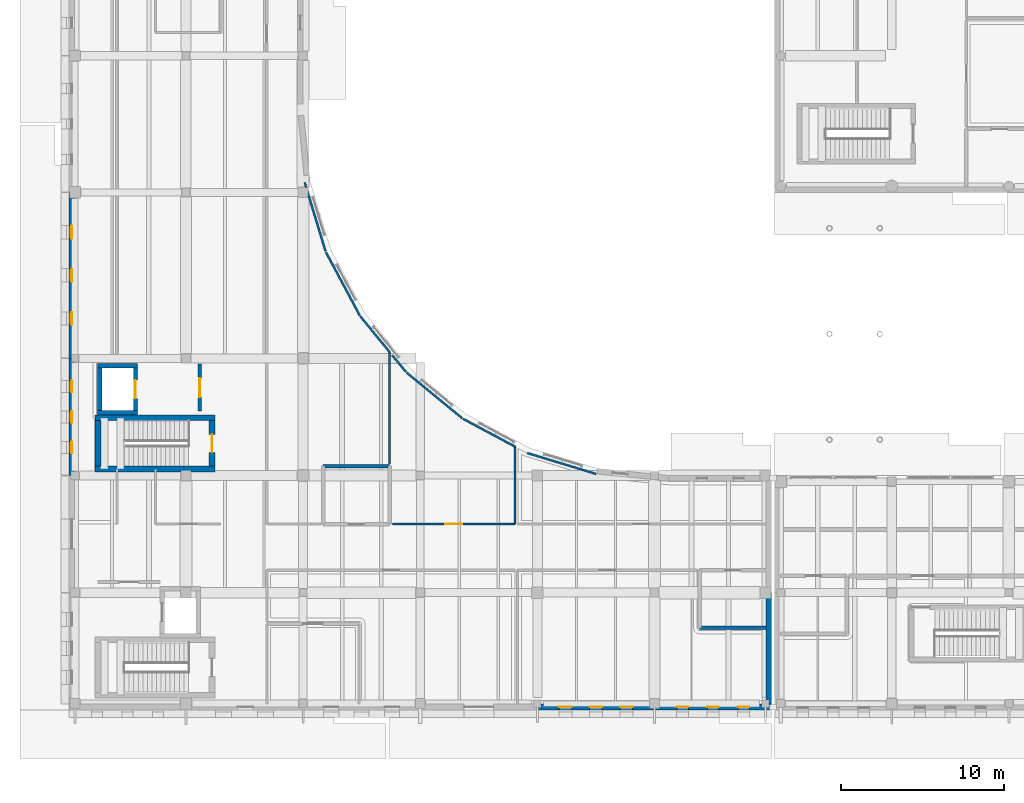
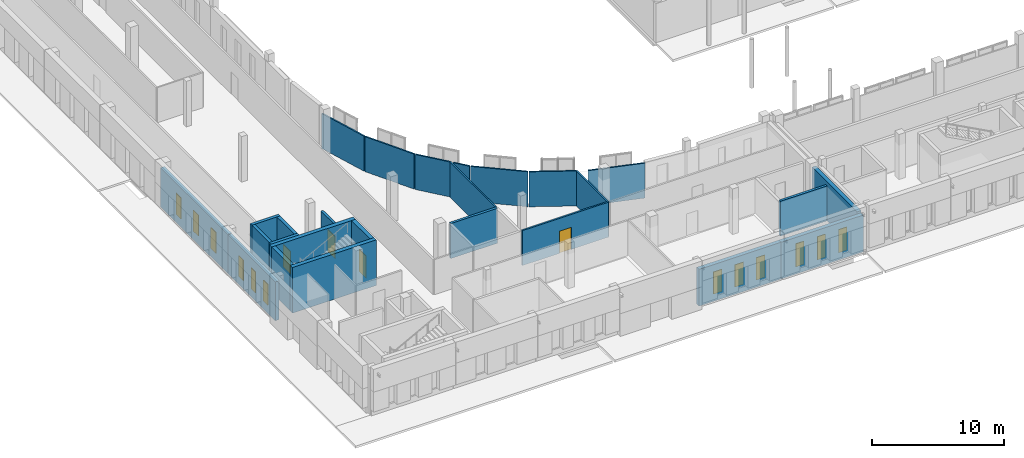
# One storey, part 48 of 77: 26 walls, 12 windows, 4 doors, 16 openings.
"""IFC4 building model written with IfcOpenShell, lengths in metres."""

from ifc_helpers import new_model, si_unit, direction, frame, frame_2d, origin, place, context, subcontext, project, spatial, rectangle, extrude, material, layer, layer_set, type_object, element, fill, save


model = new_model("IFC4")

# Units and contexts
model_context = context("Model", 3, precision=1e-05, world=origin(), true_north=direction((0.0, 1.0)))
body_context = subcontext(model_context, "Body", "Model", "MODEL_VIEW")
ifc_project = project(units=[si_unit("LENGTHUNIT", "METRE"), si_unit("AREAUNIT", "SQUARE_METRE"), si_unit("VOLUMEUNIT", "CUBIC_METRE"), si_unit("PLANEANGLEUNIT", "RADIAN"), si_unit("MASSUNIT", "GRAM", prefix="KILO")], contexts=[model_context])

# Site, building, storey
site_placement = place(None, origin())
site = spatial("IfcSite", under=ifc_project, at=site_placement, CompositionType="ELEMENT")
building_placement = place(site_placement, origin())
building = spatial("IfcBuilding", under=site, at=building_placement, Name="Vardoun Plaza Health Centre", CompositionType="ELEMENT")
storey_placement = place(building_placement, origin())
storey = spatial("IfcBuildingStorey", under=building, at=storey_placement, Name="L00", CompositionType="ELEMENT", Elevation=0.0)

# Walls
ifc_material_1 = material(Name="Concrete C40/50", Category="concrete")
ifc_layer_1 = layer(ifc_material_1, 0.27001953125)
ifc_layer_set_1 = layer_set([ifc_layer_1], Name="Concrete C40/50")
wall_type_1 = type_object("IfcWallType", Name="SW-03", PredefinedType="SHEAR", material=ifc_layer_set_1)
wall_1_placement = place(storey_placement, frame((8.735107421875, 22.75, 0.0), z_axis=(0.0, 0.0, 1.0), x_axis=(-1.0, 0.0, 0.0)))
element("IfcWall", 1, at=wall_1_placement, inside=storey, type_object=wall_type_1, Name="Lift LF-02 L00 Shaft Wall S", PredefinedType="SHEAR", context=body_context, shape_type="SweptSolid", body=[
    extrude(rectangle(XDim=2.47021484375, YDim=0.27001953125, at=frame_2d((1.235107421875, 0.0))), origin(), (0.0, 0.0, 1.0), 4.219970703125),
])
wall_2_placement = place(storey_placement, frame((6.39990234375, 22.885009765625, 0.0), z_axis=(0.0, 0.0, 1.0), x_axis=(0.0, 1.0, 0.0)))
element("IfcWall", 2, at=wall_2_placement, inside=storey, type_object=wall_type_1, Name="Lift LF-02 L00 Shaft Wall W", PredefinedType="SHEAR", context=body_context, shape_type="SweptSolid", body=[
    extrude(rectangle(XDim=2.6298828125, YDim=0.27001953125, at=frame_2d((1.31494140625, 0.0))), origin(), (0.0, 0.0, 1.0), 4.219970703125),
])
wall_3_placement = place(storey_placement, frame((6.264892578125, 25.64990234375, 0.0), z_axis=(0.0, 0.0, 1.0), x_axis=(1.0, 0.0, 0.0)))
element("IfcWall", 3, at=wall_3_placement, inside=storey, type_object=wall_type_1, Name="Lift LF-02 L00 Shaft Wall N", PredefinedType="SHEAR", context=body_context, shape_type="SweptSolid", body=[
    extrude(rectangle(XDim=2.47021484375, YDim=0.27001953125, at=frame_2d((1.235107421875, 0.0))), origin(), (0.0, 0.0, 1.0), 4.219970703125),
])

# Wall, opening, door
wall_4_placement = place(storey_placement, frame((8.60009765625, 25.514892578125, 0.0), z_axis=(0.0, 0.0, 1.0), x_axis=(0.0, -1.0, 0.0)))
wall_4 = element("IfcWall", 4, at=wall_4_placement, inside=storey, type_object=wall_type_1, Name="Lift LF-02 L00 Shaft Wall E", PredefinedType="SHEAR", context=body_context, shape_type="SweptSolid", body=[
    extrude(rectangle(XDim=2.6298828125, YDim=0.27001953125, at=frame_2d((1.31494140625, 0.0))), origin(), (0.0, 0.0, 1.0), 4.219970703125),
])
opening_1_placement = place(wall_4_placement, frame((0.7548828125, 0.0, 0.0)))
opening_1 = element("IfcOpeningElement", 5, at=opening_1_placement, cuts=wall_4, Name="Opening LD-LF-02-L00", PredefinedType="OPENING", context=body_context, shape_type="SweptSolid", body=[
    extrude(rectangle(XDim=1.1201171875, YDim=2.10009765625, at=frame_2d((0.56005859375, 1.050048828125))), frame((0.0, 0.135009765625, 0.0), z_axis=(0.0, -1.0, 0.0), x_axis=(1.0, 0.0, 0.0)), (0.0, 0.0, 1.0), 0.27001953125),
])
ifc_material_2 = material(Name="Brushed Stainless Steel Grade 316L", Category="steel")
door_type_1 = type_object("IfcDoorType", Name="LD-01", OperationType="DOUBLE_DOOR_SLIDING", PredefinedType="DOOR", material=ifc_material_2)
door_1_placement = place(opening_1_placement, origin())
door_1 = element("IfcDoor", 6, at=door_1_placement, inside=storey, type_object=door_type_1, Name="Lift LF-02 L00 Sliding Landing Door", OperationType="DOUBLE_DOOR_SLIDING", OverallHeight=2.10009765625, OverallWidth=1.1201171875, PredefinedType="DOOR", context=body_context, shape_type="SweptSolid", body=[
    extrude(rectangle(XDim=1.1201171875, YDim=2.10009765625, at=frame_2d((0.56005859375, 1.050048828125))), frame((0.0, 0.02490234375, 0.0), z_axis=(0.0, -1.0, 0.0), x_axis=(1.0, 0.0, 0.0)), (0.0, 0.0, 1.0), 0.050048828125),
])
fill(opening_1, door_1)

# Walls
ifc_material_3 = material(Name="Concrete C40/50", Category="concrete")
ifc_layer_2 = layer(ifc_material_3, 0.35009765625)
ifc_layer_set_2 = layer_set([ifc_layer_2], Name="Concrete C40/50")
wall_type_2 = type_object("IfcWallType", Name="SW-02", PredefinedType="SHEAR", material=ifc_layer_set_2)
wall_5_placement = place(storey_placement, frame((13.47509765625, 19.300048828125, 0.0), z_axis=(0.0, 0.0, 1.0), x_axis=(-1.0, 0.0, 0.0)))
element("IfcWall", 7, at=wall_5_placement, inside=storey, type_object=wall_type_2, Name="Core C2 L00 Shear Wall S", PredefinedType="SHEAR", context=body_context, shape_type="SweptSolid", body=[
    extrude(rectangle(XDim=7.35009765625, YDim=0.35009765625, at=frame_2d((3.675048828125, 0.0))), origin(), (0.0, 0.0, 1.0), 4.219970703125),
])
wall_6_placement = place(storey_placement, frame((6.300048828125, 19.47509765625, 0.0), z_axis=(0.0, 0.0, 1.0), x_axis=(0.0, 1.0, 0.0)))
element("IfcWall", 8, at=wall_6_placement, inside=storey, type_object=wall_type_2, Name="Core C2 L00 Shear Wall W", PredefinedType="SHEAR", context=body_context, shape_type="SweptSolid", body=[
    extrude(rectangle(XDim=2.7998046875, YDim=0.35009765625, at=frame_2d((1.39990234375, 0.0))), origin(), (0.0, 0.0, 1.0), 4.219970703125),
])
wall_7_placement = place(storey_placement, frame((6.125, 22.449951171875, 0.0), z_axis=(0.0, 0.0, 1.0), x_axis=(1.0, 0.0, 0.0)))
element("IfcWall", 9, at=wall_7_placement, inside=storey, type_object=wall_type_2, Name="Core C2 L00 Shear Wall N", PredefinedType="SHEAR", context=body_context, shape_type="SweptSolid", body=[
    extrude(rectangle(XDim=7.35009765625, YDim=0.35009765625, at=frame_2d((3.675048828125, 0.0))), origin(), (0.0, 0.0, 1.0), 4.219970703125),
])

# Wall, opening, door
wall_8_placement = place(storey_placement, frame((13.300048828125, 22.27490234375, 0.0), z_axis=(0.0, 0.0, 1.0), x_axis=(0.0, -1.0, 0.0)))
wall_8 = element("IfcWall", 10, at=wall_8_placement, inside=storey, type_object=wall_type_2, Name="Core C2 L00 Shear Wall E", PredefinedType="SHEAR", context=body_context, shape_type="SweptSolid", body=[
    extrude(rectangle(XDim=2.7998046875, YDim=0.35009765625, at=frame_2d((1.39990234375, 0.0))), origin(), (0.0, 0.0, 1.0), 4.219970703125),
])
opening_2_placement = place(wall_8_placement, frame((0.85009765625, 0.0, 0.0)))
opening_2 = element("IfcOpeningElement", 11, at=opening_2_placement, cuts=wall_8, Name="Opening SD-C2-L00", PredefinedType="OPENING", context=body_context, shape_type="SweptSolid", body=[
    extrude(rectangle(XDim=1.10009765625, YDim=2.050048828125, at=frame_2d((0.550048828125, 1.02490234375))), frame((0.0, 0.175048828125, 0.0), z_axis=(0.0, -1.0, 0.0), x_axis=(1.0, 0.0, 0.0)), (0.0, 0.0, 1.0), 0.35009765625),
])
ifc_material_4 = material(Name="Brushed Stainless Steel Grade 316L", Category="steel")
door_type_2 = type_object("IfcDoorType", Name="FD-01", OperationType="NOTDEFINED", PredefinedType="DOOR", material=ifc_material_4)
door_2_placement = place(opening_2_placement, origin())
door_2 = element("IfcDoor", 12, at=door_2_placement, inside=storey, type_object=door_type_2, Name="Stair C2 L00 Fire Door", OperationType="SINGLE_SWING_LEFT", OverallHeight=2.050048828125, OverallWidth=1.10009765625, PredefinedType="DOOR", context=body_context, shape_type="SweptSolid", body=[
    extrude(rectangle(XDim=1.10009765625, YDim=2.050048828125, at=frame_2d((0.550048828125, 1.02490234375))), frame((0.0, 0.02490234375, 0.0), z_axis=(0.0, -1.0, 0.0), x_axis=(1.0, 0.0, 0.0)), (0.0, 0.0, 1.0), 0.050048828125),
])
fill(opening_2, door_2)

# Wall
ifc_material_5 = material(Name="Pale Limestone Concrete C35/45", Category="masonry")
ifc_layer_3 = layer(ifc_material_5, 0.344970703125)
ifc_layer_set_3 = layer_set([ifc_layer_3], Name="Pale Limestone Concrete C35/45")
wall_type_3 = type_object("IfcWallType", Name="EW-01", PredefinedType="SOLIDWALL", material=ifc_layer_set_3)
wall_9_placement = place(storey_placement, frame((47.527587890625, 11.699951171875, 0.0), z_axis=(0.0, 0.0, 1.0), x_axis=(0.0, -1.0, 0.0)))
element("IfcWall", 13, at=wall_9_placement, inside=storey, type_object=wall_type_3, Name="V2 L00 Exterior Wall EW-V2-083", PredefinedType="SOLIDWALL", context=body_context, shape_type="SweptSolid", body=[
    extrude(rectangle(XDim=6.85498046875, YDim=0.344970703125, at=frame_2d((3.427490234375, 0.0))), origin(), (0.0, 0.0, 1.0), 3.60498046875),
])

# Wall, openings, windows
wall_10_placement = place(storey_placement, frame((47.699951171875, 4.672607421875, 0.0), z_axis=(0.0, 0.0, 1.0), x_axis=(-1.0, 0.0, 0.0)))
wall_10 = element("IfcWall", 14, at=wall_10_placement, inside=storey, type_object=wall_type_3, Name="V2 L00 Exterior Wall EW-V2-084", PredefinedType="SOLIDWALL", context=body_context, shape_type="SweptSolid", body=[
    extrude(rectangle(XDim=7.199951171875, YDim=0.344970703125, at=frame_2d((3.60009765625, 0.0))), origin(), (0.0, 0.0, 1.0), 3.405029296875),
])
opening_3_placement = place(wall_10_placement, frame((1.373046875, 0.0, 0.550048828125)))
opening_3 = element("IfcOpeningElement", 15, at=opening_3_placement, cuts=wall_10, Name="Opening W-32-001", PredefinedType="OPENING", context=body_context, shape_type="SweptSolid", body=[
    extrude(rectangle(XDim=0.7099609375, YDim=2.139892578125, at=frame_2d((0.35498046875, 1.06982421875))), frame((0.0, 0.17236328125, 0.0), z_axis=(0.0, -1.0, 0.0), x_axis=(1.0, 0.0, 0.0)), (0.0, 0.0, 1.0), 0.344970703125),
])
opening_4_placement = place(wall_10_placement, frame((3.2451171875, 0.0, 0.550048828125)))
opening_4 = element("IfcOpeningElement", 16, at=opening_4_placement, cuts=wall_10, Name="Opening W-32-002", PredefinedType="OPENING", context=body_context, shape_type="SweptSolid", body=[
    extrude(rectangle(XDim=0.7099609375, YDim=2.139892578125, at=frame_2d((0.35498046875, 1.06982421875))), frame((0.0, 0.17236328125, 0.0), z_axis=(0.0, -1.0, 0.0), x_axis=(1.0, 0.0, 0.0)), (0.0, 0.0, 1.0), 0.344970703125),
])
opening_5_placement = place(wall_10_placement, frame((5.116943359375, 0.0, 0.550048828125)))
opening_5 = element("IfcOpeningElement", 17, at=opening_5_placement, cuts=wall_10, Name="Opening W-32-003", PredefinedType="OPENING", context=body_context, shape_type="SweptSolid", body=[
    extrude(rectangle(XDim=0.7099609375, YDim=2.139892578125, at=frame_2d((0.35498046875, 1.06982421875))), frame((0.0, 0.17236328125, 0.0), z_axis=(0.0, -1.0, 0.0), x_axis=(1.0, 0.0, 0.0)), (0.0, 0.0, 1.0), 0.344970703125),
])
ifc_material_6 = material(Name="Aluminium Alloy EN AW-6063-T6 and Low-E Glass", Category="aluminium")
window_type_1 = type_object("IfcWindowType", Name="W-32", PartitioningType="SINGLE_PANEL", PredefinedType="WINDOW", material=ifc_material_6)
window_1_placement = place(opening_3_placement, origin())
window_1 = element("IfcWindow", 18, at=window_1_placement, inside=storey, type_object=window_type_1, Name="V2 L00 Deep-Punched Slot Window W-32-015", OverallHeight=2.139892578125, OverallWidth=0.7099609375, PartitioningType="SINGLE_PANEL", PredefinedType="WINDOW", context=body_context, shape_type="SweptSolid", body=[
    extrude(rectangle(XDim=0.7099609375, YDim=2.139892578125, at=frame_2d((0.35498046875, 1.06982421875))), frame((0.0, 0.030029296875, 0.0), z_axis=(0.0, -1.0, 0.0), x_axis=(1.0, 0.0, 0.0)), (0.0, 0.0, 1.0), 0.06005859375),
])
fill(opening_3, window_1)
window_2_placement = place(opening_4_placement, origin())
window_2 = element("IfcWindow", 19, at=window_2_placement, inside=storey, type_object=window_type_1, Name="V2 L00 Deep-Punched Slot Window W-32-016", OverallHeight=2.139892578125, OverallWidth=0.7099609375, PartitioningType="SINGLE_PANEL", PredefinedType="WINDOW", context=body_context, shape_type="SweptSolid", body=[
    extrude(rectangle(XDim=0.7099609375, YDim=2.139892578125, at=frame_2d((0.35498046875, 1.06982421875))), frame((0.0, 0.030029296875, 0.0), z_axis=(0.0, -1.0, 0.0), x_axis=(1.0, 0.0, 0.0)), (0.0, 0.0, 1.0), 0.06005859375),
])
fill(opening_4, window_2)
window_3_placement = place(opening_5_placement, origin())
window_3 = element("IfcWindow", 20, at=window_3_placement, inside=storey, type_object=window_type_1, Name="V2 L00 Deep-Punched Slot Window W-32-017", OverallHeight=2.139892578125, OverallWidth=0.7099609375, PartitioningType="SINGLE_PANEL", PredefinedType="WINDOW", context=body_context, shape_type="SweptSolid", body=[
    extrude(rectangle(XDim=0.7099609375, YDim=2.139892578125, at=frame_2d((0.35498046875, 1.06982421875))), frame((0.0, 0.030029296875, 0.0), z_axis=(0.0, -1.0, 0.0), x_axis=(1.0, 0.0, 0.0)), (0.0, 0.0, 1.0), 0.06005859375),
])
fill(opening_5, window_3)

wall_11_placement = place(storey_placement, frame((40.5, 4.672607421875, 0.0), z_axis=(0.0, 0.0, 1.0), x_axis=(-1.0, 0.0, 0.0)))
wall_11 = element("IfcWall", 21, at=wall_11_placement, inside=storey, type_object=wall_type_3, Name="V2 L00 Exterior Wall EW-V2-085", PredefinedType="SOLIDWALL", context=body_context, shape_type="SweptSolid", body=[
    extrude(rectangle(XDim=7.199951171875, YDim=0.344970703125, at=frame_2d((3.60009765625, 0.0))), origin(), (0.0, 0.0, 1.0), 3.405029296875),
])
opening_6_placement = place(wall_11_placement, frame((1.343017578125, 0.0, 0.550048828125)))
opening_6 = element("IfcOpeningElement", 22, at=opening_6_placement, cuts=wall_11, Name="Opening W-33-001", PredefinedType="OPENING", context=body_context, shape_type="SweptSolid", body=[
    extrude(rectangle(XDim=0.77001953125, YDim=2.06005859375, at=frame_2d((0.385009765625, 1.030029296875))), frame((0.0, 0.17236328125, 0.0), z_axis=(0.0, -1.0, 0.0), x_axis=(1.0, 0.0, 0.0)), (0.0, 0.0, 1.0), 0.344970703125),
])
opening_7_placement = place(wall_11_placement, frame((3.215087890625, 0.0, 0.550048828125)))
opening_7 = element("IfcOpeningElement", 23, at=opening_7_placement, cuts=wall_11, Name="Opening W-33-002", PredefinedType="OPENING", context=body_context, shape_type="SweptSolid", body=[
    extrude(rectangle(XDim=0.77001953125, YDim=2.06005859375, at=frame_2d((0.385009765625, 1.030029296875))), frame((0.0, 0.17236328125, 0.0), z_axis=(0.0, -1.0, 0.0), x_axis=(1.0, 0.0, 0.0)), (0.0, 0.0, 1.0), 0.344970703125),
])
opening_8_placement = place(wall_11_placement, frame((5.0869140625, 0.0, 0.550048828125)))
opening_8 = element("IfcOpeningElement", 24, at=opening_8_placement, cuts=wall_11, Name="Opening W-33-003", PredefinedType="OPENING", context=body_context, shape_type="SweptSolid", body=[
    extrude(rectangle(XDim=0.77001953125, YDim=2.06005859375, at=frame_2d((0.385009765625, 1.030029296875))), frame((0.0, 0.17236328125, 0.0), z_axis=(0.0, -1.0, 0.0), x_axis=(1.0, 0.0, 0.0)), (0.0, 0.0, 1.0), 0.344970703125),
])
ifc_material_7 = material(Name="Aluminium Alloy EN AW-6063-T6 and Low-E Glass", Category="aluminium")
window_type_2 = type_object("IfcWindowType", Name="W-33", PartitioningType="SINGLE_PANEL", PredefinedType="WINDOW", material=ifc_material_7)
window_4_placement = place(opening_6_placement, origin())
window_4 = element("IfcWindow", 25, at=window_4_placement, inside=storey, type_object=window_type_2, Name="V2 L00 Deep-Punched Slot Window W-33-018", OverallHeight=2.06005859375, OverallWidth=0.77001953125, PartitioningType="SINGLE_PANEL", PredefinedType="WINDOW", context=body_context, shape_type="SweptSolid", body=[
    extrude(rectangle(XDim=0.77001953125, YDim=2.06005859375, at=frame_2d((0.385009765625, 1.030029296875))), frame((0.0, 0.030029296875, 0.0), z_axis=(0.0, -1.0, 0.0), x_axis=(1.0, 0.0, 0.0)), (0.0, 0.0, 1.0), 0.06005859375),
])
fill(opening_6, window_4)
window_5_placement = place(opening_7_placement, origin())
window_5 = element("IfcWindow", 26, at=window_5_placement, inside=storey, type_object=window_type_2, Name="V2 L00 Deep-Punched Slot Window W-33-019", OverallHeight=2.06005859375, OverallWidth=0.77001953125, PartitioningType="SINGLE_PANEL", PredefinedType="WINDOW", context=body_context, shape_type="SweptSolid", body=[
    extrude(rectangle(XDim=0.77001953125, YDim=2.06005859375, at=frame_2d((0.385009765625, 1.030029296875))), frame((0.0, 0.030029296875, 0.0), z_axis=(0.0, -1.0, 0.0), x_axis=(1.0, 0.0, 0.0)), (0.0, 0.0, 1.0), 0.06005859375),
])
fill(opening_7, window_5)
window_6_placement = place(opening_8_placement, origin())
window_6 = element("IfcWindow", 27, at=window_6_placement, inside=storey, type_object=window_type_2, Name="V2 L00 Deep-Punched Slot Window W-33-020", OverallHeight=2.06005859375, OverallWidth=0.77001953125, PartitioningType="SINGLE_PANEL", PredefinedType="WINDOW", context=body_context, shape_type="SweptSolid", body=[
    extrude(rectangle(XDim=0.77001953125, YDim=2.06005859375, at=frame_2d((0.385009765625, 1.030029296875))), frame((0.0, 0.030029296875, 0.0), z_axis=(0.0, -1.0, 0.0), x_axis=(1.0, 0.0, 0.0)), (0.0, 0.0, 1.0), 0.06005859375),
])
fill(opening_8, window_6)

wall_12_placement = place(storey_placement, frame((4.672607421875, 18.89990234375, 0.0), z_axis=(0.0, 0.0, 1.0), x_axis=(0.0, 1.0, 0.0)))
wall_12 = element("IfcWall", 28, at=wall_12_placement, inside=storey, type_object=wall_type_3, Name="V2 L00 Exterior Wall EW-V2-092", PredefinedType="SOLIDWALL", context=body_context, shape_type="SweptSolid", body=[
    extrude(rectangle(XDim=7.2001953125, YDim=0.344970703125, at=frame_2d((3.60009765625, 0.0))), origin(), (0.0, 0.0, 1.0), 3.60498046875),
])
opening_9_placement = place(wall_12_placement, frame((1.3779296875, 0.0, 0.550048828125)))
opening_9 = element("IfcOpeningElement", 29, at=opening_9_placement, cuts=wall_12, Name="Opening W-29-001", PredefinedType="OPENING", context=body_context, shape_type="SweptSolid", body=[
    extrude(rectangle(XDim=0.699951171875, YDim=1.919921875, at=frame_2d((0.35009765625, 0.9599609375))), frame((0.0, 0.17236328125, 0.0), z_axis=(0.0, -1.0, 0.0), x_axis=(1.0, 0.0, 0.0)), (0.0, 0.0, 1.0), 0.344970703125),
])
opening_10_placement = place(wall_12_placement, frame((3.25, 0.0, 0.550048828125)))
opening_10 = element("IfcOpeningElement", 30, at=opening_10_placement, cuts=wall_12, Name="Opening W-29-002", PredefinedType="OPENING", context=body_context, shape_type="SweptSolid", body=[
    extrude(rectangle(XDim=0.699951171875, YDim=1.919921875, at=frame_2d((0.35009765625, 0.9599609375))), frame((0.0, 0.17236328125, 0.0), z_axis=(0.0, -1.0, 0.0), x_axis=(1.0, 0.0, 0.0)), (0.0, 0.0, 1.0), 0.344970703125),
])
opening_11_placement = place(wall_12_placement, frame((5.1220703125, 0.0, 0.550048828125)))
opening_11 = element("IfcOpeningElement", 31, at=opening_11_placement, cuts=wall_12, Name="Opening W-29-003", PredefinedType="OPENING", context=body_context, shape_type="SweptSolid", body=[
    extrude(rectangle(XDim=0.699951171875, YDim=1.919921875, at=frame_2d((0.35009765625, 0.9599609375))), frame((0.0, 0.17236328125, 0.0), z_axis=(0.0, -1.0, 0.0), x_axis=(1.0, 0.0, 0.0)), (0.0, 0.0, 1.0), 0.344970703125),
])
ifc_material_8 = material(Name="Aluminium Alloy EN AW-6063-T6 and Low-E Glass", Category="aluminium")
window_type_3 = type_object("IfcWindowType", Name="W-29", PartitioningType="SINGLE_PANEL", PredefinedType="WINDOW", material=ifc_material_8)
window_7_placement = place(opening_9_placement, origin())
window_7 = element("IfcWindow", 32, at=window_7_placement, inside=storey, type_object=window_type_3, Name="V2 L00 Deep-Punched Slot Window W-29-032", OverallHeight=1.919921875, OverallWidth=0.699951171875, PartitioningType="SINGLE_PANEL", PredefinedType="WINDOW", context=body_context, shape_type="SweptSolid", body=[
    extrude(rectangle(XDim=0.699951171875, YDim=1.919921875, at=frame_2d((0.35009765625, 0.9599609375))), frame((0.0, 0.030029296875, 0.0), z_axis=(0.0, -1.0, 0.0), x_axis=(1.0, 0.0, 0.0)), (0.0, 0.0, 1.0), 0.06005859375),
])
fill(opening_9, window_7)
window_8_placement = place(opening_10_placement, origin())
window_8 = element("IfcWindow", 33, at=window_8_placement, inside=storey, type_object=window_type_3, Name="V2 L00 Deep-Punched Slot Window W-29-033", OverallHeight=1.919921875, OverallWidth=0.699951171875, PartitioningType="SINGLE_PANEL", PredefinedType="WINDOW", context=body_context, shape_type="SweptSolid", body=[
    extrude(rectangle(XDim=0.699951171875, YDim=1.919921875, at=frame_2d((0.35009765625, 0.9599609375))), frame((0.0, 0.030029296875, 0.0), z_axis=(0.0, -1.0, 0.0), x_axis=(1.0, 0.0, 0.0)), (0.0, 0.0, 1.0), 0.06005859375),
])
fill(opening_10, window_8)
window_9_placement = place(opening_11_placement, origin())
window_9 = element("IfcWindow", 34, at=window_9_placement, inside=storey, type_object=window_type_3, Name="V2 L00 Deep-Punched Slot Window W-29-034", OverallHeight=1.919921875, OverallWidth=0.699951171875, PartitioningType="SINGLE_PANEL", PredefinedType="WINDOW", context=body_context, shape_type="SweptSolid", body=[
    extrude(rectangle(XDim=0.699951171875, YDim=1.919921875, at=frame_2d((0.35009765625, 0.9599609375))), frame((0.0, 0.030029296875, 0.0), z_axis=(0.0, -1.0, 0.0), x_axis=(1.0, 0.0, 0.0)), (0.0, 0.0, 1.0), 0.06005859375),
])
fill(opening_11, window_9)

wall_13_placement = place(storey_placement, frame((4.672607421875, 26.10009765625, 0.0), z_axis=(0.0, 0.0, 1.0), x_axis=(0.0, 1.0, 0.0)))
wall_13 = element("IfcWall", 35, at=wall_13_placement, inside=storey, type_object=wall_type_3, Name="V2 L00 Exterior Wall EW-V2-093", PredefinedType="SOLIDWALL", context=body_context, shape_type="SweptSolid", body=[
    extrude(rectangle(XDim=10.199951171875, YDim=0.344970703125, at=frame_2d((5.10009765625, 0.0))), origin(), (0.0, 0.0, 1.0), 3.625),
])
opening_12_placement = place(wall_13_placement, frame((2.05810546875, 0.0, 0.550048828125)))
opening_12 = element("IfcOpeningElement", 36, at=opening_12_placement, cuts=wall_13, Name="Opening W-30-001", PredefinedType="OPENING", context=body_context, shape_type="SweptSolid", body=[
    extrude(rectangle(XDim=0.780029296875, YDim=1.949951171875, at=frame_2d((0.39013671875, 0.97509765625))), frame((0.0, 0.17236328125, 0.0), z_axis=(0.0, -1.0, 0.0), x_axis=(1.0, 0.0, 0.0)), (0.0, 0.0, 1.0), 0.344970703125),
])
opening_13_placement = place(wall_13_placement, frame((4.7099609375, 0.0, 0.550048828125)))
opening_13 = element("IfcOpeningElement", 37, at=opening_13_placement, cuts=wall_13, Name="Opening W-30-002", PredefinedType="OPENING", context=body_context, shape_type="SweptSolid", body=[
    extrude(rectangle(XDim=0.780029296875, YDim=1.949951171875, at=frame_2d((0.39013671875, 0.97509765625))), frame((0.0, 0.17236328125, 0.0), z_axis=(0.0, -1.0, 0.0), x_axis=(1.0, 0.0, 0.0)), (0.0, 0.0, 1.0), 0.344970703125),
])
opening_14_placement = place(wall_13_placement, frame((7.362060546875, 0.0, 0.550048828125)))
opening_14 = element("IfcOpeningElement", 38, at=opening_14_placement, cuts=wall_13, Name="Opening W-30-003", PredefinedType="OPENING", context=body_context, shape_type="SweptSolid", body=[
    extrude(rectangle(XDim=0.780029296875, YDim=1.949951171875, at=frame_2d((0.39013671875, 0.97509765625))), frame((0.0, 0.17236328125, 0.0), z_axis=(0.0, -1.0, 0.0), x_axis=(1.0, 0.0, 0.0)), (0.0, 0.0, 1.0), 0.344970703125),
])
ifc_material_9 = material(Name="Aluminium Alloy EN AW-6063-T6 and Low-E Glass", Category="aluminium")
window_type_4 = type_object("IfcWindowType", Name="W-30", PartitioningType="SINGLE_PANEL", PredefinedType="WINDOW", material=ifc_material_9)
window_10_placement = place(opening_12_placement, origin())
window_10 = element("IfcWindow", 39, at=window_10_placement, inside=storey, type_object=window_type_4, Name="V2 L00 Deep-Punched Slot Window W-30-035", OverallHeight=1.949951171875, OverallWidth=0.780029296875, PartitioningType="SINGLE_PANEL", PredefinedType="WINDOW", context=body_context, shape_type="SweptSolid", body=[
    extrude(rectangle(XDim=0.780029296875, YDim=1.949951171875, at=frame_2d((0.39013671875, 0.97509765625))), frame((0.0, 0.030029296875, 0.0), z_axis=(0.0, -1.0, 0.0), x_axis=(1.0, 0.0, 0.0)), (0.0, 0.0, 1.0), 0.06005859375),
])
fill(opening_12, window_10)
window_11_placement = place(opening_13_placement, origin())
window_11 = element("IfcWindow", 40, at=window_11_placement, inside=storey, type_object=window_type_4, Name="V2 L00 Deep-Punched Slot Window W-30-036", OverallHeight=1.949951171875, OverallWidth=0.780029296875, PartitioningType="SINGLE_PANEL", PredefinedType="WINDOW", context=body_context, shape_type="SweptSolid", body=[
    extrude(rectangle(XDim=0.780029296875, YDim=1.949951171875, at=frame_2d((0.39013671875, 0.97509765625))), frame((0.0, 0.030029296875, 0.0), z_axis=(0.0, -1.0, 0.0), x_axis=(1.0, 0.0, 0.0)), (0.0, 0.0, 1.0), 0.06005859375),
])
fill(opening_13, window_11)
window_12_placement = place(opening_14_placement, origin())
window_12 = element("IfcWindow", 41, at=window_12_placement, inside=storey, type_object=window_type_4, Name="V2 L00 Deep-Punched Slot Window W-30-037", OverallHeight=1.949951171875, OverallWidth=0.780029296875, PartitioningType="SINGLE_PANEL", PredefinedType="WINDOW", context=body_context, shape_type="SweptSolid", body=[
    extrude(rectangle(XDim=0.780029296875, YDim=1.949951171875, at=frame_2d((0.39013671875, 0.97509765625))), frame((0.0, 0.030029296875, 0.0), z_axis=(0.0, -1.0, 0.0), x_axis=(1.0, 0.0, 0.0)), (0.0, 0.0, 1.0), 0.06005859375),
])
fill(opening_14, window_12)

# Wall, opening, door
ifc_material_10 = material(Name="Acoustic Gypsum Twin-Stud", Category="steel")
ifc_layer_4 = layer(ifc_material_10, 0.14990234375)
ifc_layer_set_4 = layer_set([ifc_layer_4], Name="Acoustic Gypsum Twin-Stud")
wall_type_4 = type_object("IfcWallType", Name="IW-04", PredefinedType="PARTITIONING", material=ifc_layer_set_4)
wall_14_placement = place(storey_placement, frame((31.929931640625, 15.919921875, 0.0), z_axis=(0.0, 0.0, 1.0), x_axis=(-1.0, 0.0, 0.0)))
wall_14 = element("IfcWall", 42, at=wall_14_placement, inside=storey, type_object=wall_type_4, Name="Community Health Shop Partition Wall", PredefinedType="PARTITIONING", context=body_context, shape_type="SweptSolid", body=[
    extrude(rectangle(XDim=7.550048828125, YDim=0.14990234375, at=frame_2d((3.77490234375, 0.0))), origin(), (0.0, 0.0, 1.0), 3.239990234375),
])
opening_15_placement = place(wall_14_placement, frame((3.2548828125, 0.0, 0.0)))
opening_15 = element("IfcOpeningElement", 43, at=opening_15_placement, cuts=wall_14, Name="Opening D-L00-032", PredefinedType="OPENING", context=body_context, shape_type="SweptSolid", body=[
    extrude(rectangle(XDim=1.0400390625, YDim=2.050048828125, at=frame_2d((0.52001953125, 1.02490234375))), frame((0.0, 0.074951171875, 0.0), z_axis=(0.0, -1.0, 0.0), x_axis=(1.0, 0.0, 0.0)), (0.0, 0.0, 1.0), 0.14990234375),
])
ifc_material_11 = material(Name="Antimicrobial Acoustic Timber and Steel S275JR", Category="steel")
door_type_3 = type_object("IfcDoorType", Name="CD-04", OperationType="NOTDEFINED", PredefinedType="DOOR", material=ifc_material_11)
door_3_placement = place(opening_15_placement, origin())
door_3 = element("IfcDoor", 44, at=door_3_placement, inside=storey, type_object=door_type_3, Name="Community Health Shop Door D-L00-032", OperationType="SINGLE_SWING_RIGHT", OverallHeight=2.050048828125, OverallWidth=1.0400390625, PredefinedType="DOOR", context=body_context, shape_type="SweptSolid", body=[
    extrude(rectangle(XDim=1.0400390625, YDim=2.050048828125, at=frame_2d((0.52001953125, 1.02490234375))), frame((0.0, 0.02490234375, 0.0), z_axis=(0.0, -1.0, 0.0), x_axis=(1.0, 0.0, 0.0)), (0.0, 0.0, 1.0), 0.050048828125),
])
fill(opening_15, door_3)

# Walls
ifc_material_12 = material(Name="Standard Clinical Sub-Partition", Category="steel")
ifc_layer_5 = layer(ifc_material_12, 0.125)
ifc_layer_set_5 = layer_set([ifc_layer_5], Name="Standard Clinical Sub-Partition")
wall_type_5 = type_object("IfcWallType", Name="IW-11", PredefinedType="PARTITIONING", material=ifc_layer_set_5)
for number, where, z_axis, x_axis, name in (
    (45, (18.997314453125, 36.908935546875, 0.0), (0.0, 0.0, 1.0), (0.290306937487, -0.956933582882, 0.0), "GP Consulting Room 01 Enclosure Partition"),
    (46, (20.303955078125, 32.62451171875, 0.0), (0.0, 0.0, 1.0), (0.471424034078, -0.88190667312, 0.0), "GP Consulting Room 01 Enclosure Partition"),
):
    element("IfcWall", number, at=place(storey_placement, frame(where, z_axis=z_axis, x_axis=x_axis)), inside=storey, type_object=wall_type_5, Name=name, PredefinedType="PARTITIONING", context=body_context, shape_type="SweptSolid", body=[
        extrude(rectangle(XDim=4.410888671875, YDim=0.125, at=frame_2d((2.20556640625, 0.0))), origin(), (0.0, 0.0, 1.0), 3.239990234375),
    ])
wall_15_placement = place(storey_placement, frame((22.42138671875, 28.677734375, 0.0), z_axis=(0.0, 0.0, 1.0), x_axis=(0.634381268995, -0.773020313801, 0.0)))
element("IfcWall", 47, at=wall_15_placement, inside=storey, type_object=wall_type_5, Name="GP Consulting Room 01 Enclosure Partition", PredefinedType="PARTITIONING", context=body_context, shape_type="SweptSolid", body=[
    extrude(rectangle(XDim=2.835205078125, YDim=0.125, at=frame_2d((1.41748046875, 0.0))), origin(), (0.0, 0.0, 1.0), 3.239990234375),
])
wall_16_placement = place(storey_placement, frame((24.219970703125, 26.486083984375, 0.0), z_axis=(0.0, 0.0, 1.0), x_axis=(0.0, -1.0, 0.0)))
element("IfcWall", 48, at=wall_16_placement, inside=storey, type_object=wall_type_5, Name="GP Consulting Room 01 Enclosure Partition", PredefinedType="PARTITIONING", context=body_context, shape_type="SweptSolid", body=[
    extrude(rectangle(XDim=6.875244140625, YDim=0.125, at=frame_2d((3.4375, 0.0))), origin(), (0.0, 0.0, 1.0), 3.239990234375),
])
wall_17_placement = place(storey_placement, frame((25.26806640625, 25.219482421875, 0.0), z_axis=(0.0, 0.0, 1.0), x_axis=(0.773026739032, -0.634373439499, 0.0)))
element("IfcWall", 49, at=wall_17_placement, inside=storey, type_object=wall_type_5, Name="Community Health Shop Enclosure Partition", PredefinedType="PARTITIONING", context=body_context, shape_type="SweptSolid", body=[
    extrude(rectangle(XDim=4.410888671875, YDim=0.125, at=frame_2d((2.20556640625, 0.0))), origin(), (0.0, 0.0, 1.0), 3.239990234375),
])
wall_18_placement = place(storey_placement, frame((28.734619140625, 22.38330078125, 0.0), z_axis=(0.0, 0.0, 1.0), x_axis=(0.881912348796, -0.471413416273, 0.0)))
element("IfcWall", 50, at=wall_18_placement, inside=storey, type_object=wall_type_5, Name="Community Health Shop Enclosure Partition", PredefinedType="PARTITIONING", context=body_context, shape_type="SweptSolid", body=[
    extrude(rectangle(XDim=3.623046875, YDim=0.125, at=frame_2d((1.8115234375, 0.0))), origin(), (0.0, 0.0, 1.0), 3.239990234375),
])
wall_19_placement = place(storey_placement, frame((31.929931640625, 20.67529296875, 0.0), z_axis=(0.0, 0.0, 1.0), x_axis=(0.0, -1.0, 0.0)))
element("IfcWall", 51, at=wall_19_placement, inside=storey, type_object=wall_type_5, Name="Community Health Shop Enclosure Partition", PredefinedType="PARTITIONING", context=body_context, shape_type="SweptSolid", body=[
    extrude(rectangle(XDim=4.75537109375, YDim=0.125, at=frame_2d((2.377685546875, 0.0))), origin(), (0.0, 0.0, 1.0), 3.239990234375),
])
wall_20_placement = place(storey_placement, frame((24.3798828125, 26.291015625, 0.0), z_axis=(0.0, 0.0, 1.0), x_axis=(0.634432512687, -0.77297825768, 0.0)))
element("IfcWall", 52, at=wall_20_placement, inside=storey, type_object=wall_type_5, Name="Community Health Shop Enclosure Partition", PredefinedType="PARTITIONING", context=body_context, shape_type="SweptSolid", body=[
    extrude(rectangle(XDim=1.323486328125, YDim=0.125, at=frame_2d((0.66162109375, 0.0))), origin(), (0.0, 0.0, 1.0), 3.239990234375),
])
wall_21_placement = place(storey_placement, frame((32.68798828125, 20.27783203125, 0.0), z_axis=(0.0, 0.0, 1.0), x_axis=(0.956933582882, -0.290306937487, 0.0)))
element("IfcWall", 53, at=wall_21_placement, inside=storey, type_object=wall_type_5, Name="GP Consulting Room 01 Enclosure Partition", PredefinedType="PARTITIONING", context=body_context, shape_type="SweptSolid", body=[
    extrude(rectangle(XDim=4.410888671875, YDim=0.125, at=frame_2d((2.20556640625, 0.0))), origin(), (0.0, 0.0, 1.0), 3.239990234375),
])

# Wall, opening, door
ifc_material_13 = material(Name="Concrete C35/45", Category="concrete")
ifc_layer_6 = layer(ifc_material_13, 0.199951171875)
ifc_layer_set_6 = layer_set([ifc_layer_6], Name="Concrete C35/45")
wall_type_6 = type_object("IfcWallType", Name="IW-01", PredefinedType="SOLIDWALL", material=ifc_layer_set_6)
wall_22_placement = place(storey_placement, frame((12.550048828125, 25.75, 0.0), z_axis=(0.0, 0.0, 1.0), x_axis=(0.0, -1.0, 0.0)))
wall_22 = element("IfcWall", 54, at=wall_22_placement, inside=storey, type_object=wall_type_6, Name="Firefighting Lobby C2 L00 Wall", PredefinedType="SOLIDWALL", context=body_context, shape_type="SweptSolid", body=[
    extrude(rectangle(XDim=2.89990234375, YDim=0.199951171875, at=frame_2d((1.449951171875, 0.0))), origin(), (0.0, 0.0, 1.0), 3.239990234375),
])
opening_16_placement = place(wall_22_placement, frame((0.875, 0.0, 0.0)))
opening_16 = element("IfcOpeningElement", 55, at=opening_16_placement, cuts=wall_22, Name="Opening FD-FF-C2-L00", PredefinedType="OPENING", context=body_context, shape_type="SweptSolid", body=[
    extrude(rectangle(XDim=1.14990234375, YDim=2.050048828125, at=frame_2d((0.574951171875, 1.02490234375))), frame((0.0, 0.10009765625, 0.0), z_axis=(0.0, -1.0, 0.0), x_axis=(1.0, 0.0, 0.0)), (0.0, 0.0, 1.0), 0.199951171875),
])
ifc_material_14 = material(Name="Antimicrobial Acoustic Timber and Steel S275JR", Category="steel")
door_type_4 = type_object("IfcDoorType", Name="FD-02", OperationType="NOTDEFINED", PredefinedType="DOOR", material=ifc_material_14)
door_4_placement = place(opening_16_placement, origin())
door_4 = element("IfcDoor", 56, at=door_4_placement, inside=storey, type_object=door_type_4, Name="Firefighting Lobby C2 L00 Fire Door", OperationType="SINGLE_SWING_RIGHT", OverallHeight=2.050048828125, OverallWidth=1.14990234375, PredefinedType="DOOR", context=body_context, shape_type="SweptSolid", body=[
    extrude(rectangle(XDim=1.14990234375, YDim=2.050048828125, at=frame_2d((0.574951171875, 1.02490234375))), frame((0.0, 0.02490234375, 0.0), z_axis=(0.0, -1.0, 0.0), x_axis=(1.0, 0.0, 0.0)), (0.0, 0.0, 1.0), 0.050048828125),
])
fill(opening_16, door_4)

# Walls
ifc_material_15 = material(Name="Moisture-Resistant Plumbing Chase", Category="steel")
ifc_layer_7 = layer(ifc_material_15, 0.215087890625)
ifc_layer_set_7 = layer_set([ifc_layer_7], Name="Moisture-Resistant Plumbing Chase")
wall_type_7 = type_object("IfcWallType", Name="IW-06", PredefinedType="PLUMBINGWALL", material=ifc_layer_set_7)
for number, where, z_axis, x_axis, name in (
    (57, (47.35009765625, 9.529052734375, 0.0), (0.0, 0.0, 1.0), (-1.0, 0.0, 0.0), "Accessible WC L00-V2 Enclosure Partition"),
    (58, (20.136474609375, 19.470947265625, 0.0), (0.0, 0.0, 1.0), (1.0, 0.0, 0.0), "Patient WC L00-V2 Enclosure Partition"),
):
    element("IfcWall", number, at=place(storey_placement, frame(where, z_axis=z_axis, x_axis=x_axis)), inside=storey, type_object=wall_type_7, Name=name, PredefinedType="PLUMBINGWALL", context=body_context, shape_type="SweptSolid", body=[
        extrude(rectangle(XDim=4.08349609375, YDim=0.215087890625, at=frame_2d((2.041748046875, 0.0))), origin(), (0.0, 0.0, 1.0), 3.239990234375),
    ])

save(model, "model.ifc")
